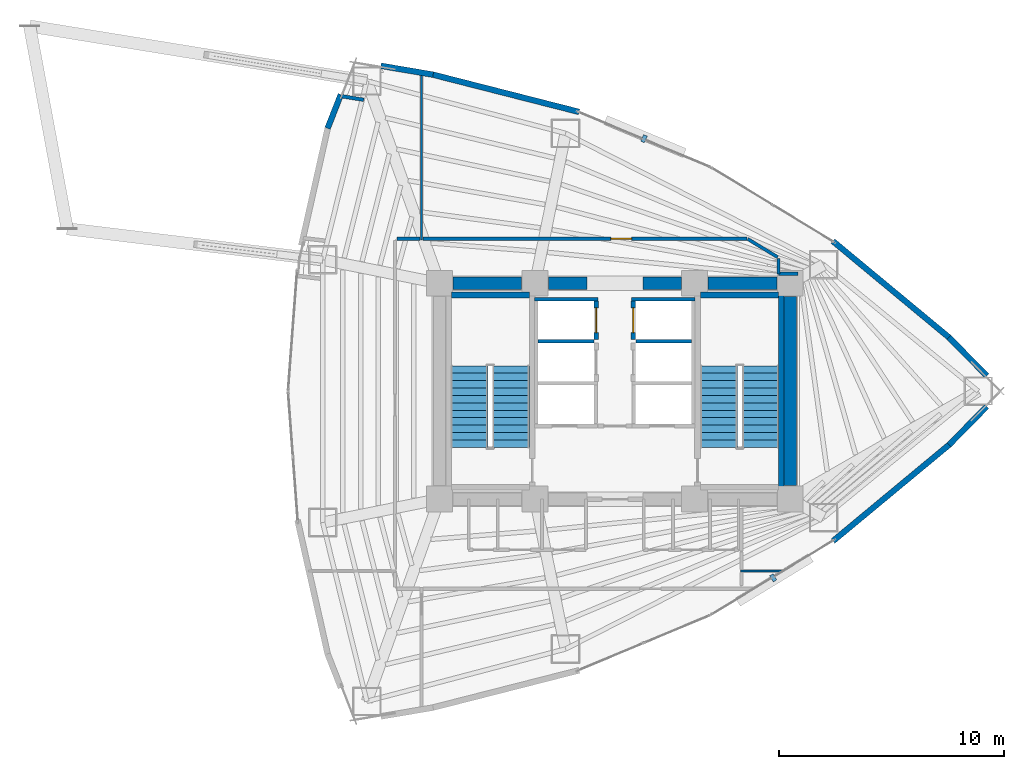
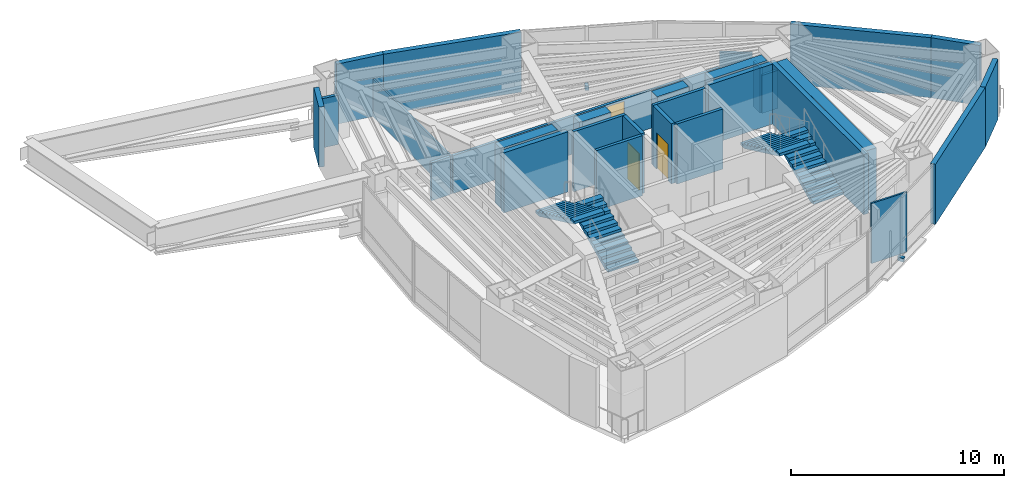
# One storey, part 14 of 17: 29 walls, 4 stair flights, 3 doors, 2 discrete accessories, 3 openings, 2 elements without a shape of their own.
"""IFC4 building model written with IfcOpenShell, lengths in metres."""

import ifcopenshell
import ifcopenshell.guid

model = None  # the IFC model being written
_history = None  # IfcOwnerHistory: only IFC2X3 demands one
_inside = {}  # id of a spatial element -> (the spatial element, [elements in it])
_under = {}  # id of a project, library or spatial element -> (it, [spatial elements below it])
_declared = {}  # id of a project -> (the project, [libraries it declares])
_typed = {}  # id of a type object -> (the type object, [elements of that type])
_made_of = {}  # id of a material, layer set ... -> (it, [elements and type objects made of it])


def new_model(schema):
    """Start an empty IFC model of exactly this schema.

    Asked for "IFC4X3", IfcOpenShell would pick the latest addendum, in which some entities
    have other attributes; the version numbers below select the first issue.
    IFC2X3 requires an IfcOwnerHistory on every rooted entity: one is made here for all.
    """
    global model, _history
    if schema == "IFC4X3":
        model = ifcopenshell.file(schema_version=(4, 3, 0, 0))
    else:
        model = ifcopenshell.file(schema=schema)
    _inside.clear()
    _under.clear()
    _declared.clear()
    _typed.clear()
    _made_of.clear()
    _history = None
    if model.schema == "IFC2X3":
        org = make("IfcOrganization", Name="unknown")
        user = make(
            "IfcPersonAndOrganization",
            ThePerson=make("IfcPerson", FamilyName="unknown"),
            TheOrganization=org,
        )
        app = make(
            "IfcApplication",
            ApplicationDeveloper=org,
            Version="unknown",
            ApplicationFullName="unknown",
            ApplicationIdentifier="unknown",
        )
        _history = make(
            "IfcOwnerHistory",
            OwningUser=user,
            OwningApplication=app,
            ChangeAction="ADDED",
            CreationDate=0,
        )
    return model


def make(cls, **values):
    """One entity of the class cls with the attributes given. An attribute that is None is left unset."""
    return model.create_entity(
        cls, **{name: value for name, value in values.items() if value is not None}
    )


def rooted(cls, **values):
    """An entity with a GlobalId (a new one), such as an element, a storey or a relation."""
    return make(cls, GlobalId=ifcopenshell.guid.new(), OwnerHistory=_history, **values)


def si_unit(unit_type, name, prefix=None):
    """IfcSIUnit, for example si_unit("LENGTHUNIT", "METRE", prefix="MILLI")."""
    return make("IfcSIUnit", UnitType=unit_type, Prefix=prefix, Name=name)


def assignment(units):
    """IfcUnitAssignment: the units of a project."""
    return None if units is None else make("IfcUnitAssignment", Units=units)


def point(xyz):
    """IfcCartesianPoint."""
    return None if xyz is None else make("IfcCartesianPoint", Coordinates=xyz)


def direction(xyz):
    """IfcDirection."""
    return None if xyz is None else make("IfcDirection", DirectionRatios=xyz)


def frame(location, z_axis=None, x_axis=None):
    """IfcAxis2Placement3D, a coordinate frame: its origin and axes. An axis left out is left unset."""
    return make(
        "IfcAxis2Placement3D",
        Location=point(location),
        Axis=direction(z_axis),
        RefDirection=direction(x_axis),
    )


def frame_2d(location, x_axis=None):
    """IfcAxis2Placement2D, a coordinate frame in the plane: its origin and x axis."""
    return make(
        "IfcAxis2Placement2D", Location=point(location), RefDirection=direction(x_axis)
    )


def origin():
    """The frame at (0, 0, 0) with its axes left unset."""
    return frame((0.0, 0.0, 0.0))


def origin_2d():
    """The frame at (0, 0) in the plane with its x axis left unset."""
    return frame_2d((0.0, 0.0))


def place(relative_to, where):
    """IfcLocalPlacement: puts the frame where relative to a parent placement (None: the world)."""
    return make(
        "IfcLocalPlacement", PlacementRelTo=relative_to, RelativePlacement=where
    )


def context(
    kind, dimensions, precision=None, world=None, true_north=None, identifier=None
):
    """IfcGeometricRepresentationContext, for example the 3D "Model" context."""
    return make(
        "IfcGeometricRepresentationContext",
        ContextIdentifier=identifier,
        ContextType=kind,
        CoordinateSpaceDimension=dimensions,
        Precision=precision,
        WorldCoordinateSystem=world,
        TrueNorth=true_north,
    )


def subcontext(parent, identifier, kind, view, scale=None):
    """IfcGeometricRepresentationSubContext, for example "Body" below "Model"."""
    return make(
        "IfcGeometricRepresentationSubContext",
        ContextIdentifier=identifier,
        ContextType=kind,
        ParentContext=parent,
        TargetScale=scale,
        TargetView=view,
    )


def project(units=None, contexts=None):
    """IfcProject with its units and contexts."""
    return rooted(
        "IfcProject",
        Name="project",
        RepresentationContexts=contexts,
        UnitsInContext=assignment(units),
    )


def spatial(cls, under=None, at=None, **own):
    """A site, building, storey or space (cls), placed at a placement, below another one or the project."""
    s = rooted(cls, ObjectPlacement=at, **own)
    if under is not None:
        _under.setdefault(under.id(), (under, []))[1].append(s)
    return s


def polyline(points):
    """IfcPolyline through the points."""
    return make("IfcPolyline", Points=[point(p) for p in points])


def profile(cls, at=None, kind="AREA", **sizes):
    """A parametric profile (cls). Its sizes go by their IFC names, for example OverallWidth=200.0."""
    return make(cls, ProfileType=kind, Position=at, **sizes)


def rectangle(**sizes):
    """IfcRectangleProfileDef."""
    return profile("IfcRectangleProfileDef", **sizes)


def outline(outer, holes=None, kind="AREA"):
    """IfcArbitraryClosedProfileDef: a profile drawn as a closed curve; with holes, ...WithVoids."""
    if holes is None:
        return make("IfcArbitraryClosedProfileDef", ProfileType=kind, OuterCurve=outer)
    return make(
        "IfcArbitraryProfileDefWithVoids",
        ProfileType=kind,
        OuterCurve=outer,
        InnerCurves=holes,
    )


def extrude(swept, where, along, depth):
    """IfcExtrudedAreaSolid: the profile swept, set in the frame where, extruded along a direction by depth."""
    return make(
        "IfcExtrudedAreaSolid",
        SweptArea=swept,
        Position=where,
        ExtrudedDirection=direction(along),
        Depth=depth,
    )


def shape(context_of_items, identifier, shape_type, items):
    """IfcShapeRepresentation: the items that make up one representation, for example the "Body"."""
    return make(
        "IfcShapeRepresentation",
        ContextOfItems=context_of_items,
        RepresentationIdentifier=identifier,
        RepresentationType=shape_type,
        Items=items,
    )


def material(Name=None, Category=None):
    """IfcMaterial."""
    return make("IfcMaterial", Name=Name, Category=Category)


def layer(
    of_material, thickness, ventilated=None, Name=None, Category=None, Priority=None
):
    """IfcMaterialLayer: one layer of a wall or slab, of a material (None: an air gap)."""
    return make(
        "IfcMaterialLayer",
        Material=of_material,
        LayerThickness=thickness,
        IsVentilated=ventilated,
        Name=Name,
        Category=Category,
        Priority=Priority,
    )


def layer_set(layers, Name=None):
    """IfcMaterialLayerSet."""
    return make("IfcMaterialLayerSet", MaterialLayers=layers, LayerSetName=Name)


def made_of(thing, what):
    """Note that an element or type object is made of a material, layer set ...; save() writes the relation."""
    if what is not None:
        _made_of.setdefault(what.id(), (what, []))[1].append(thing)
    return thing


def type_object(cls, material=None, **own):
    """A type object (cls), such as IfcWallType, which elements share."""
    return made_of(rooted(cls, **own), material)


def element(
    cls,
    number,
    at=None,
    inside=None,
    cuts=None,
    type_object=None,
    material=None,
    context=None,
    identifier="Body",
    shape_type=None,
    held_by="IfcProductDefinitionShape",
    body=None,
    shapes=None,
    **own,
):
    """One element of the class cls, such as IfcWall. Its Tag is "e" and its number.

    at: its placement. inside: the storey or other place that contains it. cuts: it is an
    opening in that element (IfcRelVoidsElement). A single representation is given by context,
    identifier, shape_type and body (its items); several are given by shapes. held_by: the class
    of the entity that holds the representations. save() writes the other relations.
    """
    e = rooted(cls, Tag="e%d" % number, ObjectPlacement=at, **own)
    if body is not None:
        shapes = [shape(context, identifier, shape_type, body)]
    if shapes is not None:
        e.Representation = make(held_by, Representations=shapes)
    if inside is not None:
        _inside.setdefault(inside.id(), (inside, []))[1].append(e)
    if cuts is not None:
        rooted(
            "IfcRelVoidsElement", RelatingBuildingElement=cuts, RelatedOpeningElement=e
        )
    if type_object is not None:
        _typed.setdefault(type_object.id(), (type_object, []))[1].append(e)
    return made_of(e, material)


def fill(opening, filler):
    """IfcRelFillsElement: the door or window that sits in an opening."""
    return rooted(
        "IfcRelFillsElement",
        RelatingOpeningElement=opening,
        RelatedBuildingElement=filler,
    )


def aggregate(whole, parts):
    """IfcRelAggregates: a whole, such as a stair, and the parts it consists of."""
    return rooted("IfcRelAggregates", RelatingObject=whole, RelatedObjects=parts)


def save(model, path):
    """Write the relations noted so far, then the file.

    IfcRelAggregates (storeys below a building ...), IfcRelContainedInSpatialStructure (elements
    in a storey), IfcRelDefinesByType, IfcRelAssociatesMaterial and IfcRelDeclares: one each for
    every whole, place, type object, material and project.
    """
    for whole, parts in _under.values():
        aggregate(whole, parts)
    for where, things in _inside.values():
        rooted(
            "IfcRelContainedInSpatialStructure",
            RelatedElements=things,
            RelatingStructure=where,
        )
    for kind, things in _typed.values():
        rooted("IfcRelDefinesByType", RelatedObjects=things, RelatingType=kind)
    for what, things in _made_of.values():
        rooted("IfcRelAssociatesMaterial", RelatedObjects=things, RelatingMaterial=what)
    for by, libraries in _declared.values():
        rooted("IfcRelDeclares", RelatingContext=by, RelatedDefinitions=libraries)
    model.write(path)


model = new_model("IFC4")

# Units and contexts
model_context = context("Model", 3, precision=1e-05, world=origin(), true_north=direction((0.0, 1.0)))
body_context = subcontext(model_context, "Body", "Model", "MODEL_VIEW")
ifc_project = project(units=[si_unit("LENGTHUNIT", "METRE"), si_unit("AREAUNIT", "SQUARE_METRE"), si_unit("VOLUMEUNIT", "CUBIC_METRE"), si_unit("PLANEANGLEUNIT", "RADIAN"), si_unit("MASSUNIT", "GRAM", prefix="KILO")], contexts=[model_context])

# Site, building, storey
site_placement = place(None, origin())
site = spatial("IfcSite", under=ifc_project, at=site_placement, CompositionType="ELEMENT")
building_placement = place(site_placement, origin())
building = spatial("IfcBuilding", under=site, at=building_placement, Name="Menara Vayukalpa", CompositionType="ELEMENT")
storey_placement = place(building_placement, frame((0.0, 0.0, 100.260009765625)))
storey = spatial("IfcBuildingStorey", under=building, at=storey_placement, Name="L24", CompositionType="ELEMENT", Elevation=100.260009765625)

# Walls
ifc_material_1 = material(Name="Concrete C60/75", Category="concrete")
ifc_layer_1 = layer(ifc_material_1, 0.550048828125)
ifc_layer_set_1 = layer_set([ifc_layer_1], Name="Concrete C60/75")
wall_type_1 = type_object("IfcWallType", Name="WAL-CW550", PredefinedType="SHEAR", material=ifc_layer_set_1)
wall_1_placement = place(storey_placement, frame((18.39501953125, 26.800048828125, 0.0), z_axis=(0.0, 0.0, 1.0), x_axis=(1.0, 0.0, 0.0)))
element("IfcWall", 1, at=wall_1_placement, inside=storey, type_object=wall_type_1, Name="L24 Buttressed Core Shear Wall CWN1", PredefinedType="SHEAR", context=body_context, shape_type="SweptSolid", body=[
    extrude(rectangle(XDim=3.06005859375, YDim=0.550048828125, at=frame_2d((1.530029296875, 0.0))), origin(), (0.0, 0.0, 1.0), 3.43994140625),
])
wall_2_placement = place(storey_placement, frame((22.64501953125, 26.800048828125, 0.0), z_axis=(0.0, 0.0, 1.0), x_axis=(1.0, 0.0, 0.0)))
element("IfcWall", 2, at=wall_2_placement, inside=storey, type_object=wall_type_1, Name="L24 Buttressed Core Shear Wall CWN2", PredefinedType="SHEAR", context=body_context, shape_type="SweptSolid", body=[
    extrude(rectangle(XDim=1.705078125, YDim=0.550048828125, at=frame_2d((0.8525390625, 0.0))), origin(), (0.0, 0.0, 1.0), 3.43994140625),
])
wall_3_placement = place(storey_placement, frame((26.85009765625, 26.800048828125, 0.0), z_axis=(0.0, 0.0, 1.0), x_axis=(1.0, 0.0, 0.0)))
element("IfcWall", 3, at=wall_3_placement, inside=storey, type_object=wall_type_1, Name="L24 Buttressed Core Shear Wall CWN3", PredefinedType="SHEAR", context=body_context, shape_type="SweptSolid", body=[
    extrude(rectangle(XDim=1.704833984375, YDim=0.550048828125, at=frame_2d((0.8525390625, 0.0))), origin(), (0.0, 0.0, 1.0), 3.43994140625),
])
wall_4_placement = place(storey_placement, frame((29.7451171875, 26.800048828125, 0.0), z_axis=(0.0, 0.0, 1.0), x_axis=(1.0, 0.0, 0.0)))
element("IfcWall", 4, at=wall_4_placement, inside=storey, type_object=wall_type_1, Name="L24 Buttressed Core Shear Wall CWN4", PredefinedType="SHEAR", context=body_context, shape_type="SweptSolid", body=[
    extrude(rectangle(XDim=3.059814453125, YDim=0.550048828125, at=frame_2d((1.52978515625, 0.0))), origin(), (0.0, 0.0, 1.0), 3.43994140625),
])
wall_5_placement = place(storey_placement, frame((33.39990234375, 17.794921875, 0.0), z_axis=(0.0, 0.0, 1.0), x_axis=(0.0, 1.0, 0.0)))
element("IfcWall", 5, at=wall_5_placement, inside=storey, type_object=wall_type_1, Name="L24 Buttressed Core Shear Wall CWE1", PredefinedType="SHEAR", context=body_context, shape_type="SweptSolid", body=[
    extrude(rectangle(XDim=8.41015625, YDim=0.550048828125, at=frame_2d((4.205078125, 0.0))), origin(), (0.0, 0.0, 1.0), 3.43994140625),
])
ifc_material_2 = material(Name="Insulated Precast Concrete C40/50", Category="concrete")
ifc_layer_2 = layer(ifc_material_2, 0.260009765625)
ifc_layer_set_2 = layer_set([ifc_layer_2], Name="Insulated Precast Concrete C40/50")
wall_type_2 = type_object("IfcWallType", Name="WAL-EXT260", PredefinedType="PARTITIONING", material=ifc_layer_set_2)
for number, where, z_axis, x_axis, name in (
    (6, (42.14111328125, 21.316650390625, 0.0), (0.0, 0.0, 1.0), (-0.700603293449, -0.713550996922, 0.0), "L24 Perimeter Terracotta Pier Wall 01"),
    (7, (40.46337890625, 24.39208984375, 0.0), (0.0, 0.0, 1.0), (0.700603293449, -0.713550996922, 0.0), "L24 Perimeter Terracotta Pier Wall 02"),
):
    element("IfcWall", number, at=place(storey_placement, frame(where, z_axis=z_axis, x_axis=x_axis)), inside=storey, type_object=wall_type_2, Name=name, PredefinedType="PARTITIONING", context=body_context, shape_type="SweptSolid", body=[
        extrude(rectangle(XDim=2.394775390625, YDim=0.260009765625, at=frame_2d((1.197265625, 0.0))), origin(), (0.0, 0.0, 1.0), 3.43994140625),
    ])
wall_6_placement = place(storey_placement, frame((35.30126953125, 28.672119140625, 0.0), z_axis=(0.0, 0.0, 1.0), x_axis=(0.76975316947, -0.638341646841, 0.0)))
element("IfcWall", 8, at=wall_6_placement, inside=storey, type_object=wall_type_2, Name="L24 Perimeter Terracotta Pier Wall 03", PredefinedType="PARTITIONING", context=body_context, shape_type="SweptSolid", body=[
    extrude(rectangle(XDim=6.718017578125, YDim=0.260009765625, at=frame_2d((3.35888671875, 0.0))), origin(), (0.0, 0.0, 1.0), 3.43994140625),
])
wall_7_placement = place(storey_placement, frame((17.504638671875, 36.08056640625, 0.0), z_axis=(0.0, 0.0, 1.0), x_axis=(0.968981437296, -0.247133514876, 0.0)))
element("IfcWall", 9, at=wall_7_placement, inside=storey, type_object=wall_type_2, Name="L24 Perimeter Terracotta Pier Wall 06", PredefinedType="PARTITIONING", context=body_context, shape_type="SweptSolid", body=[
    extrude(rectangle(XDim=6.717529296875, YDim=0.260009765625, at=frame_2d((3.35888671875, 0.0))), origin(), (0.0, 0.0, 1.0), 3.43994140625),
])
wall_8_placement = place(storey_placement, frame((15.19287109375, 36.472412109375, 0.0), z_axis=(0.0, 0.0, 1.0), x_axis=(0.985905269947, -0.167304508875, 0.0)))
element("IfcWall", 10, at=wall_8_placement, inside=storey, type_object=wall_type_2, Name="L24 Perimeter Terracotta Pier Wall 07", PredefinedType="PARTITIONING", context=body_context, shape_type="SweptSolid", body=[
    extrude(rectangle(XDim=2.356689453125, YDim=0.260009765625, at=frame_2d((1.17822265625, 0.0))), origin(), (0.0, 0.0, 1.0), 3.43994140625),
])
wall_9_placement = place(storey_placement, frame((12.822021484375, 33.69140625, 0.0), z_axis=(0.0, 0.0, 1.0), x_axis=(0.365488551504, 0.930815835018, 0.0)))
element("IfcWall", 11, at=wall_9_placement, inside=storey, type_object=wall_type_2, Name="L24 Perimeter Terracotta Pier Wall 08", PredefinedType="PARTITIONING", context=body_context, shape_type="SweptSolid", body=[
    extrude(rectangle(XDim=1.61376953125, YDim=0.260009765625, at=frame_2d((0.806884765625, 0.0))), origin(), (0.0, 0.0, 1.0), 3.43994140625),
])
wall_10_placement = place(storey_placement, frame((40.472412109375, 19.6162109375, 0.0), z_axis=(0.0, 0.0, 1.0), x_axis=(-0.76975316947, -0.638341646841, 0.0)))
element("IfcWall", 12, at=wall_10_placement, inside=storey, type_object=wall_type_2, Name="L24 Perimeter Terracotta Pier Wall 18", PredefinedType="PARTITIONING", context=body_context, shape_type="SweptSolid", body=[
    extrude(rectangle(XDim=6.718017578125, YDim=0.260009765625, at=frame_2d((3.35888671875, 0.0))), origin(), (0.0, 0.0, 1.0), 3.43994140625),
])
ifc_material_3 = material(Name="Lightweight Concrete Blockwork C16/20", Category="masonry")
ifc_layer_3 = layer(ifc_material_3, 0.159912109375)
ifc_layer_set_3 = layer_set([ifc_layer_3], Name="Lightweight Concrete Blockwork C16/20")
wall_type_3 = type_object("IfcWallType", Name="WAL-FR150", PredefinedType="PARTITIONING", material=ifc_layer_set_3)
wall_11_placement = place(storey_placement, frame((22.179931640625, 24.215087890625, 0.0), z_axis=(0.0, 0.0, 1.0), x_axis=(1.0, 0.0, 0.0)))
element("IfcWall", 13, at=wall_11_placement, inside=storey, type_object=wall_type_3, Name="L24 Interior Partition IW-L24-SHM-W23", PredefinedType="PARTITIONING", context=body_context, shape_type="SweptSolid", body=[
    extrude(rectangle(XDim=2.489990234375, YDim=0.159912109375, at=frame_2d((1.2451171875, 0.0))), origin(), (0.0, 0.0, 1.0), 3.43994140625),
])
wall_12_placement = place(storey_placement, frame((22.030029296875, 26.0849609375, 0.0), z_axis=(0.0, 0.0, 1.0), x_axis=(1.0, 0.0, 0.0)))
element("IfcWall", 14, at=wall_12_placement, inside=storey, type_object=wall_type_3, Name="L24 Interior Partition IW-L24-SHM-W3N", PredefinedType="PARTITIONING", context=body_context, shape_type="SweptSolid", body=[
    extrude(rectangle(XDim=2.830078125, YDim=0.159912109375, at=frame_2d((1.4150390625, 0.0))), origin(), (0.0, 0.0, 1.0), 3.43994140625),
])
wall_13_placement = place(storey_placement, frame((26.530029296875, 24.215087890625, 0.0), z_axis=(0.0, 0.0, 1.0), x_axis=(1.0, 0.0, 0.0)))
element("IfcWall", 15, at=wall_13_placement, inside=storey, type_object=wall_type_3, Name="L24 Interior Partition IW-L24-SHM-E32", PredefinedType="PARTITIONING", context=body_context, shape_type="SweptSolid", body=[
    extrude(rectangle(XDim=2.489990234375, YDim=0.159912109375, at=frame_2d((1.2451171875, 0.0))), origin(), (0.0, 0.0, 1.0), 3.43994140625),
])
wall_14_placement = place(storey_placement, frame((26.340087890625, 26.0849609375, 0.0), z_axis=(0.0, 0.0, 1.0), x_axis=(1.0, 0.0, 0.0)))
element("IfcWall", 16, at=wall_14_placement, inside=storey, type_object=wall_type_3, Name="L24 Interior Partition IW-L24-SHM-E2N", PredefinedType="PARTITIONING", context=body_context, shape_type="SweptSolid", body=[
    extrude(rectangle(XDim=2.829833984375, YDim=0.159912109375, at=frame_2d((1.4150390625, 0.0))), origin(), (0.0, 0.0, 1.0), 3.43994140625),
])
wall_15_placement = place(storey_placement, frame((13.406494140625, 35.12548828125, 0.0), z_axis=(0.0, 0.0, 1.0), x_axis=(0.987015063636, -0.160627719136, 0.0)))
element("IfcWall", 17, at=wall_15_placement, inside=storey, type_object=wall_type_3, Name="L24 Interior Partition IW-L24-OCHK05-71", PredefinedType="PARTITIONING", context=body_context, shape_type="SweptSolid", body=[
    extrude(rectangle(XDim=1.03955078125, YDim=0.159912109375, at=frame_2d((0.519775390625, 0.0))), origin(), (0.0, 0.0, 1.0), 2.820068359375),
])

# Wall, opening, door
ifc_material_4 = material(Name="Lightweight Concrete Blockwork C16/20", Category="masonry")
ifc_layer_4 = layer(ifc_material_4, 0.199951171875)
ifc_layer_set_4 = layer_set([ifc_layer_4], Name="Lightweight Concrete Blockwork C16/20")
wall_type_4 = type_object("IfcWallType", Name="WAL-FR200", PredefinedType="PARTITIONING", material=ifc_layer_set_4)
wall_16_placement = place(storey_placement, frame((24.780029296875, 24.2900390625, 0.0), z_axis=(0.0, 0.0, 1.0), x_axis=(0.0, 1.0, 0.0)))
wall_16 = element("IfcWall", 18, at=wall_16_placement, inside=storey, type_object=wall_type_4, Name="L24 Interior Partition IW-L24-SH-W3", PredefinedType="PARTITIONING", context=body_context, shape_type="SweptSolid", body=[
    extrude(rectangle(XDim=1.719970703125, YDim=0.199951171875, at=frame_2d((0.85986328125, 0.0))), origin(), (0.0, 0.0, 1.0), 3.43994140625),
])
opening_1_placement = place(wall_16_placement, frame((0.31005859375, 0.0, 0.0)))
opening_1 = element("IfcOpeningElement", 19, at=opening_1_placement, cuts=wall_16, Name="Opening LD1", PredefinedType="OPENING", context=body_context, shape_type="SweptSolid", body=[
    extrude(rectangle(XDim=1.10009765625, YDim=2.080078125, at=frame_2d((0.550048828125, 1.0400390625))), frame((0.0, 0.10986328125, 0.0), z_axis=(0.0, -1.0, 0.0), x_axis=(1.0, 0.0, 0.0)), (0.0, 0.0, 1.0), 0.219970703125),
])
ifc_material_5 = material(Name="Brushed Stainless Steel 316 Lift Door", Category="steel")
door_type_1 = type_object("IfcDoorType", Name="DR-LD110", OperationType="NOTDEFINED", PredefinedType="DOOR", material=ifc_material_5)
door_1_placement = place(opening_1_placement, origin())
door_1 = element("IfcDoor", 20, at=door_1_placement, inside=storey, type_object=door_type_1, Name="L24 Interior Door DR-L24-LD-W3", OperationType="DOUBLE_DOOR_SLIDING", OverallHeight=2.080078125, OverallWidth=1.10009765625, PredefinedType="DOOR", context=body_context, shape_type="SweptSolid", body=[
    extrude(rectangle(XDim=1.10009765625, YDim=2.080078125, at=frame_2d((0.550048828125, 1.0400390625))), frame((0.0, 0.02490234375, 0.0), z_axis=(0.0, -1.0, 0.0), x_axis=(1.0, 0.0, 0.0)), (0.0, 0.0, 1.0), 0.050048828125),
])
fill(opening_1, door_1)

wall_17_placement = place(storey_placement, frame((26.419921875, 24.2900390625, 0.0), z_axis=(0.0, 0.0, 1.0), x_axis=(0.0, 1.0, 0.0)))
wall_17 = element("IfcWall", 21, at=wall_17_placement, inside=storey, type_object=wall_type_4, Name="L24 Interior Partition IW-L24-SH-E2", PredefinedType="PARTITIONING", context=body_context, shape_type="SweptSolid", body=[
    extrude(rectangle(XDim=1.719970703125, YDim=0.199951171875, at=frame_2d((0.85986328125, 0.0))), origin(), (0.0, 0.0, 1.0), 3.43994140625),
])
opening_2_placement = place(wall_17_placement, frame((0.31005859375, 0.0, 0.0)))
opening_2 = element("IfcOpeningElement", 22, at=opening_2_placement, cuts=wall_17, Name="Opening LD1", PredefinedType="OPENING", context=body_context, shape_type="SweptSolid", body=[
    extrude(rectangle(XDim=1.10009765625, YDim=2.080078125, at=frame_2d((0.550048828125, 1.0400390625))), frame((0.0, 0.10986328125, 0.0), z_axis=(0.0, -1.0, 0.0), x_axis=(1.0, 0.0, 0.0)), (0.0, 0.0, 1.0), 0.219970703125),
])
door_2_placement = place(opening_2_placement, origin())
door_2 = element("IfcDoor", 23, at=door_2_placement, inside=storey, type_object=door_type_1, Name="L24 Interior Door DR-L24-LD-E2", OperationType="DOUBLE_DOOR_SLIDING", OverallHeight=2.080078125, OverallWidth=1.10009765625, PredefinedType="DOOR", context=body_context, shape_type="SweptSolid", body=[
    extrude(rectangle(XDim=1.10009765625, YDim=2.080078125, at=frame_2d((0.550048828125, 1.0400390625))), frame((0.0, 0.02490234375, 0.0), z_axis=(0.0, -1.0, 0.0), x_axis=(1.0, 0.0, 0.0)), (0.0, 0.0, 1.0), 0.050048828125),
])
fill(opening_2, door_2)

# Walls
ifc_material_6 = material(Name="Glazed Demountable Office Partition", Category="glass")
ifc_layer_5 = layer(ifc_material_6, 0.094970703125)
ifc_layer_set_5 = layer_set([ifc_layer_5], Name="Glazed Demountable Office Partition")
wall_type_5 = type_object("IfcWallType", Name="WAL-PT100", PredefinedType="PARTITIONING", material=ifc_layer_set_5)
wall_18_placement = place(storey_placement, frame((17.0, 28.72998046875, 0.0), z_axis=(0.0, 0.0, 1.0), x_axis=(0.0, 1.0, 0.0)))
element("IfcWall", 24, at=wall_18_placement, inside=storey, type_object=wall_type_5, Name="L24 Interior Partition IW-L24-RDIV02", PredefinedType="PARTITIONING", context=body_context, shape_type="SweptSolid", body=[
    extrude(rectangle(XDim=7.44580078125, YDim=0.094970703125, at=frame_2d((3.722900390625, 0.0))), origin(), (0.0, 0.0, 1.0), 2.169921875),
])
wall_19_placement = place(storey_placement, frame((31.179931640625, 14.0, 0.0), z_axis=(0.0, 0.0, 1.0), x_axis=(1.0, 0.0, 0.0)))
element("IfcWall", 25, at=wall_19_placement, inside=storey, type_object=wall_type_5, Name="L24 Interior Partition IW-L24-RDIV04", PredefinedType="PARTITIONING", context=body_context, shape_type="SweptSolid", body=[
    extrude(rectangle(XDim=1.923828125, YDim=0.094970703125, at=frame_2d((0.9619140625, 0.0))), origin(), (0.0, 0.0, 1.0), 3.43994140625),
])
ifc_material_7 = material(Name="Gypsum Drywall Acoustic Stud Assembly", Category="masonry")
ifc_layer_6 = layer(ifc_material_7, 0.14501953125)
ifc_layer_set_6 = layer_set([ifc_layer_6], Name="Gypsum Drywall Acoustic Stud Assembly")
wall_type_6 = type_object("IfcWallType", Name="WAL-PT150", PredefinedType="PARTITIONING", material=ifc_layer_set_6)
wall_20_placement = place(storey_placement, frame((33.739990234375, 27.219970703125, 0.0), z_axis=(0.0, 0.0, 1.0), x_axis=(-1.0, 0.0, 0.0)))
element("IfcWall", 26, at=wall_20_placement, inside=storey, type_object=wall_type_6, Name="L24 Interior Partition IW-L24-CRM04-3", PredefinedType="PARTITIONING", context=body_context, shape_type="SweptSolid", body=[
    extrude(rectangle(XDim=0.860107421875, YDim=0.14501953125, at=frame_2d((0.43017578125, 0.0))), origin(), (0.0, 0.0, 1.0), 2.169921875),
])
wall_21_placement = place(storey_placement, frame((32.8798828125, 27.219970703125, 0.0), z_axis=(0.0, 0.0, 1.0), x_axis=(0.0, 1.0, 0.0)))
element("IfcWall", 27, at=wall_21_placement, inside=storey, type_object=wall_type_6, Name="L24 Interior Partition IW-L24-CRM04-4", PredefinedType="PARTITIONING", context=body_context, shape_type="SweptSolid", body=[
    extrude(rectangle(XDim=0.671142578125, YDim=0.14501953125, at=frame_2d((0.33544921875, 0.0))), origin(), (0.0, 0.0, 1.0), 2.570068359375),
])
wall_22_placement = place(storey_placement, frame((32.841552734375, 27.959716796875, 0.0), z_axis=(0.0, 0.0, 1.0), x_axis=(-0.854742818792, 0.519051744745, 0.0)))
element("IfcWall", 28, at=wall_22_placement, inside=storey, type_object=wall_type_6, Name="L24 Interior Partition IW-L24-CRM04-5", PredefinedType="PARTITIONING", context=body_context, shape_type="SweptSolid", body=[
    extrude(rectangle(XDim=1.557861328125, YDim=0.14501953125, at=frame_2d((0.77880859375, 0.0))), origin(), (0.0, 0.0, 1.0), 3.02001953125),
])

# Wall, opening, door
wall_23_placement = place(storey_placement, frame((31.468505859375, 28.780029296875, 0.0), z_axis=(0.0, 0.0, 1.0), x_axis=(-1.0, 0.0, 0.0)))
wall_23 = element("IfcWall", 29, at=wall_23_placement, inside=storey, type_object=wall_type_6, Name="L24 Interior Partition IW-L24-CRM04-6", PredefinedType="PARTITIONING", context=body_context, shape_type="SweptSolid", body=[
    extrude(rectangle(XDim=14.3984375, YDim=0.14501953125, at=frame_2d((7.19921875, 0.0))), origin(), (0.0, 0.0, 1.0), 2.169921875),
])
opening_3_placement = place(wall_23_placement, frame((5.12451171875, 0.0, 0.0)))
opening_3 = element("IfcOpeningElement", 30, at=opening_3_placement, cuts=wall_23, Name="Opening ID6", PredefinedType="OPENING", context=body_context, shape_type="SweptSolid", body=[
    extrude(rectangle(XDim=0.919921875, YDim=2.050048828125, at=frame_2d((0.4599609375, 1.02490234375))), frame((0.0, 0.08251953125, 0.0), z_axis=(0.0, -1.0, 0.0), x_axis=(1.0, 0.0, 0.0)), (0.0, 0.0, 1.0), 0.1650390625),
])
ifc_material_8 = material(Name="Acoustic Hardwood Veneer Timber Door", Category="wood")
door_type_2 = type_object("IfcDoorType", Name="DR-INT92", OperationType="NOTDEFINED", PredefinedType="DOOR", material=ifc_material_8)
door_3_placement = place(opening_3_placement, origin())
door_3 = element("IfcDoor", 31, at=door_3_placement, inside=storey, type_object=door_type_2, Name="L24 Interior Door DR-L24-RM04", OperationType="SINGLE_SWING_LEFT", OverallHeight=2.050048828125, OverallWidth=0.919921875, PredefinedType="DOOR", context=body_context, shape_type="SweptSolid", body=[
    extrude(rectangle(XDim=0.919921875, YDim=2.050048828125, at=frame_2d((0.4599609375, 1.02490234375))), frame((0.0, 0.02490234375, 0.0), z_axis=(0.0, -1.0, 0.0), x_axis=(1.0, 0.0, 0.0)), (0.0, 0.0, 1.0), 0.050048828125),
])
fill(opening_3, door_3)

# Walls
wall_24_placement = place(storey_placement, frame((16.929931640625, 28.780029296875, 0.0), z_axis=(0.0, 0.0, 1.0), x_axis=(-1.0, 0.0, 0.0)))
element("IfcWall", 32, at=wall_24_placement, inside=storey, type_object=wall_type_6, Name="L24 Interior Partition IW-L24-CRM05-1", PredefinedType="PARTITIONING", context=body_context, shape_type="SweptSolid", body=[
    extrude(rectangle(XDim=1.030029296875, YDim=0.14501953125, at=frame_2d((0.51513671875, 0.0))), origin(), (0.0, 0.0, 1.0), 2.169921875),
])
ifc_material_9 = material(Name="Concrete C50/60", Category="concrete")
ifc_layer_7 = layer(ifc_material_9, 0.25)
ifc_layer_set_7 = layer_set([ifc_layer_7], Name="Concrete C50/60")
wall_type_7 = type_object("IfcWallType", Name="WAL-SW250", PredefinedType="SHEAR", material=ifc_layer_set_7)
wall_25_placement = place(storey_placement, frame((18.3291015625, 26.27490234375, 0.0), z_axis=(0.0, 0.0, 1.0), x_axis=(1.0, 0.0, 0.0)))
element("IfcWall", 33, at=wall_25_placement, inside=storey, type_object=wall_type_7, Name="L24 ST1 Structural Stair Shaft Wall N", PredefinedType="SHEAR", context=body_context, shape_type="SweptSolid", body=[
    extrude(rectangle(XDim=3.470947265625, YDim=0.25, at=frame_2d((1.7353515625, 0.0))), origin(), (0.0, 0.0, 1.0), 3.43994140625),
])
wall_26_placement = place(storey_placement, frame((32.99609375, 17.60009765625, 0.0), z_axis=(0.0, 0.0, 1.0), x_axis=(0.0, 1.0, 0.0)))
element("IfcWall", 34, at=wall_26_placement, inside=storey, type_object=wall_type_7, Name="L24 ST2 Structural Stair Shaft Wall E", PredefinedType="SHEAR", context=body_context, shape_type="SweptSolid", body=[
    extrude(rectangle(XDim=8.7998046875, YDim=0.25, at=frame_2d((4.39990234375, 0.0))), origin(), (0.0, 0.0, 1.0), 3.43994140625),
])
wall_27_placement = place(storey_placement, frame((29.39990234375, 26.27490234375, 0.0), z_axis=(0.0, 0.0, 1.0), x_axis=(1.0, 0.0, 0.0)))
element("IfcWall", 35, at=wall_27_placement, inside=storey, type_object=wall_type_7, Name="L24 ST2 Structural Stair Shaft Wall N", PredefinedType="SHEAR", context=body_context, shape_type="SweptSolid", body=[
    extrude(rectangle(XDim=3.47119140625, YDim=0.25, at=frame_2d((1.735595703125, 0.0))), origin(), (0.0, 0.0, 1.0), 3.43994140625),
])

# Stair, stair flights
ifc_material_10 = material(Name="Precast Concrete C40/50", Category="concrete")
stair_type = type_object("IfcStairType", Name="STR-T04", PredefinedType="DOUBLE_RETURN_STAIR", material=ifc_material_10)
stair_1_placement = place(storey_placement, origin())
stair_1 = element("IfcStair", 36, at=stair_1_placement, inside=storey, type_object=stair_type, Name="L24 Core Exit Stair ST-1", PredefinedType="DOUBLE_RETURN_STAIR")
ifc_material_11 = material(Name="Precast Concrete C40/50", Category="concrete")
stair_flight_type = type_object("IfcStairFlightType", Name="STF-T04", PredefinedType="STRAIGHT", material=ifc_material_11)
stair_flight_1_placement = place(storey_placement, frame((20.97509765625, 19.5, 0.0), z_axis=(0.0, 0.0, 1.0), x_axis=(0.0, 1.0, 0.0)))
stair_flight_1 = element("IfcStairFlight", 37, at=stair_flight_1_placement, type_object=stair_flight_type, Name="ST-1 flight 1", NumberOfRisers=12, NumberOfTreads=11, PredefinedType="STRAIGHT", RiserHeight=0.155, TreadLength=0.33, context=body_context, shape_type="SweptSolid", body=[
    extrude(outline(polyline([(0.0, 0.0), (0.0, 0.155029296875), (0.330078125, 0.155029296875), (0.330078125, 0.31005859375), (0.659912109375, 0.31005859375), (0.659912109375, 0.465087890625), (0.989990234375, 0.465087890625), (0.989990234375, 0.6201171875), (1.320068359375, 0.6201171875), (1.320068359375, 0.77490234375), (1.64990234375, 0.77490234375), (1.64990234375, 0.929931640625), (1.97998046875, 0.929931640625), (1.97998046875, 1.0849609375), (2.31005859375, 1.0849609375), (2.31005859375, 1.239990234375), (2.639892578125, 1.239990234375), (2.639892578125, 1.39501953125), (2.969970703125, 1.39501953125), (2.969970703125, 1.550048828125), (3.300048828125, 1.550048828125), (3.300048828125, 1.705078125), (3.6298828125, 1.705078125), (3.6298828125, 1.860107421875), (3.6298828125, 1.539306640625), (0.3525390625, 0.0), (0.0, 0.0)])), frame((0.0, 0.824951171875, 0.0), z_axis=(0.0, -1.0, 0.0), x_axis=(1.0, 0.0, 0.0)), (0.0, 0.0, 1.0), 1.64990234375),
])
stair_flight_2_placement = place(storey_placement, frame((19.125, 23.1298828125, 1.860107421875), z_axis=(0.0, 0.0, 1.0), x_axis=(0.0, -1.0, 0.0)))
stair_flight_2 = element("IfcStairFlight", 38, at=stair_flight_2_placement, type_object=stair_flight_type, Name="ST-1 flight 2", NumberOfRisers=12, NumberOfTreads=11, PredefinedType="STRAIGHT", RiserHeight=0.155, TreadLength=0.33, context=body_context, shape_type="SweptSolid", body=[
    extrude(outline(polyline([(0.0, 0.0), (0.0, 0.155029296875), (0.330078125, 0.155029296875), (0.330078125, 0.31005859375), (0.659912109375, 0.31005859375), (0.659912109375, 0.465087890625), (0.989990234375, 0.465087890625), (0.989990234375, 0.6201171875), (1.320068359375, 0.6201171875), (1.320068359375, 0.77490234375), (1.64990234375, 0.77490234375), (1.64990234375, 0.929931640625), (1.97998046875, 0.929931640625), (1.97998046875, 1.0849609375), (2.31005859375, 1.0849609375), (2.31005859375, 1.239990234375), (2.639892578125, 1.239990234375), (2.639892578125, 1.39501953125), (2.969970703125, 1.39501953125), (2.969970703125, 1.550048828125), (3.300048828125, 1.550048828125), (3.300048828125, 1.705078125), (3.6298828125, 1.705078125), (3.6298828125, 1.860107421875), (3.6298828125, 1.539306640625), (0.3525390625, 0.0), (0.0, 0.0)])), frame((0.0, 0.824951171875, 0.0), z_axis=(0.0, -1.0, 0.0), x_axis=(1.0, 0.0, 0.0)), (0.0, 0.0, 1.0), 1.64990234375),
])
aggregate(stair_1, [stair_flight_1, stair_flight_2])

stair_2_placement = place(storey_placement, origin())
stair_2 = element("IfcStair", 39, at=stair_2_placement, inside=storey, type_object=stair_type, Name="L24 Core Exit Stair ST-2", PredefinedType="DOUBLE_RETURN_STAIR")
stair_flight_3_placement = place(storey_placement, frame((32.074951171875, 19.5, 0.0), z_axis=(0.0, 0.0, 1.0), x_axis=(0.0, 1.0, 0.0)))
stair_flight_3 = element("IfcStairFlight", 40, at=stair_flight_3_placement, type_object=stair_flight_type, Name="ST-2 flight 1", NumberOfRisers=12, NumberOfTreads=11, PredefinedType="STRAIGHT", RiserHeight=0.155, TreadLength=0.33, context=body_context, shape_type="SweptSolid", body=[
    extrude(outline(polyline([(0.0, 0.0), (0.0, 0.155029296875), (0.330078125, 0.155029296875), (0.330078125, 0.31005859375), (0.659912109375, 0.31005859375), (0.659912109375, 0.465087890625), (0.989990234375, 0.465087890625), (0.989990234375, 0.6201171875), (1.320068359375, 0.6201171875), (1.320068359375, 0.77490234375), (1.64990234375, 0.77490234375), (1.64990234375, 0.929931640625), (1.97998046875, 0.929931640625), (1.97998046875, 1.0849609375), (2.31005859375, 1.0849609375), (2.31005859375, 1.239990234375), (2.639892578125, 1.239990234375), (2.639892578125, 1.39501953125), (2.969970703125, 1.39501953125), (2.969970703125, 1.550048828125), (3.300048828125, 1.550048828125), (3.300048828125, 1.705078125), (3.6298828125, 1.705078125), (3.6298828125, 1.860107421875), (3.6298828125, 1.539306640625), (0.3525390625, 0.0), (0.0, 0.0)])), frame((0.0, 0.824951171875, 0.0), z_axis=(0.0, -1.0, 0.0), x_axis=(1.0, 0.0, 0.0)), (0.0, 0.0, 1.0), 1.64990234375),
])
stair_flight_4_placement = place(storey_placement, frame((30.22509765625, 23.1298828125, 1.860107421875), z_axis=(0.0, 0.0, 1.0), x_axis=(0.0, -1.0, 0.0)))
stair_flight_4 = element("IfcStairFlight", 41, at=stair_flight_4_placement, type_object=stair_flight_type, Name="ST-2 flight 2", NumberOfRisers=12, NumberOfTreads=11, PredefinedType="STRAIGHT", RiserHeight=0.155, TreadLength=0.33, context=body_context, shape_type="SweptSolid", body=[
    extrude(outline(polyline([(0.0, 0.0), (0.0, 0.155029296875), (0.330078125, 0.155029296875), (0.330078125, 0.31005859375), (0.659912109375, 0.31005859375), (0.659912109375, 0.465087890625), (0.989990234375, 0.465087890625), (0.989990234375, 0.6201171875), (1.320068359375, 0.6201171875), (1.320068359375, 0.77490234375), (1.64990234375, 0.77490234375), (1.64990234375, 0.929931640625), (1.97998046875, 0.929931640625), (1.97998046875, 1.0849609375), (2.31005859375, 1.0849609375), (2.31005859375, 1.239990234375), (2.639892578125, 1.239990234375), (2.639892578125, 1.39501953125), (2.969970703125, 1.39501953125), (2.969970703125, 1.550048828125), (3.300048828125, 1.550048828125), (3.300048828125, 1.705078125), (3.6298828125, 1.705078125), (3.6298828125, 1.860107421875), (3.6298828125, 1.539306640625), (0.3525390625, 0.0), (0.0, 0.0)])), frame((0.0, 0.824951171875, 0.0), z_axis=(0.0, -1.0, 0.0), x_axis=(1.0, 0.0, 0.0)), (0.0, 0.0, 1.0), 1.64990234375),
])
aggregate(stair_2, [stair_flight_3, stair_flight_4])

# Discrete accessories
ifc_material_12 = material(Name="Stainless Steel 316 Sunshade Bracket", Category="steel")
discrete_accessory_type = type_object("IfcDiscreteAccessoryType", Name="ACC-BRK1", PredefinedType="BRACKET", material=ifc_material_12)
for number, where, z_axis, x_axis, name in (
    (42, (26.898193359375, 33.22900390625, -0.16015625), (0.0, 0.0, 1.0), (-0.922544824647, 0.385889940938, 0.0), "L24 Terracotta Sunshade Bracket 05"),
    (43, (32.6416015625, 13.69580078125, -0.16015625), (0.0, 0.0, 1.0), (0.85466730962, 0.519176068272, 0.0), "L24 Terracotta Sunshade Bracket 17"),
):
    element("IfcDiscreteAccessory", number, at=place(storey_placement, frame(where, z_axis=z_axis, x_axis=x_axis)), inside=storey, type_object=discrete_accessory_type, Name=name, PredefinedType="BRACKET", context=body_context, shape_type="SweptSolid", body=[
        extrude(rectangle(XDim=0.179931640625, YDim=0.320068359375, at=origin_2d()), origin(), (0.0, 0.0, 1.0), 0.219970703125),
    ])

save(model, "model.ifc")
